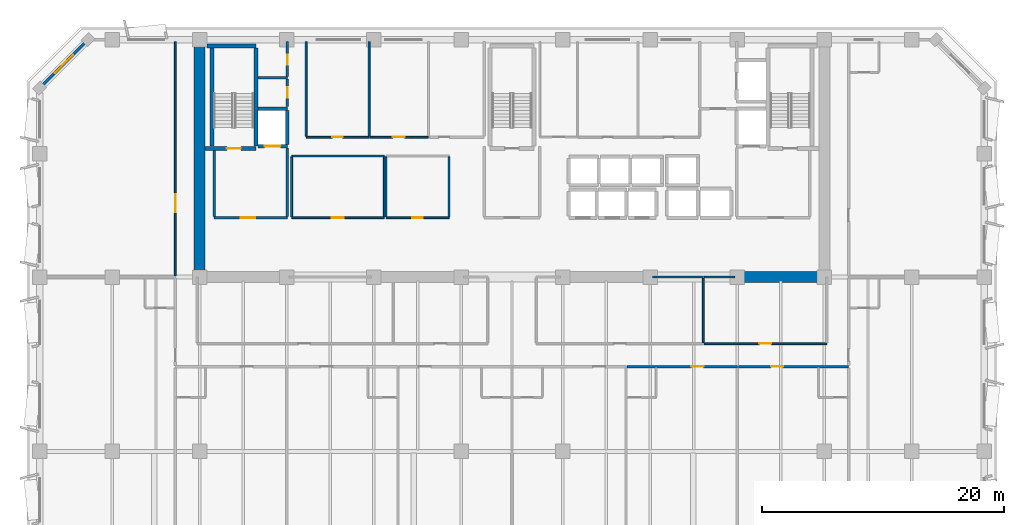
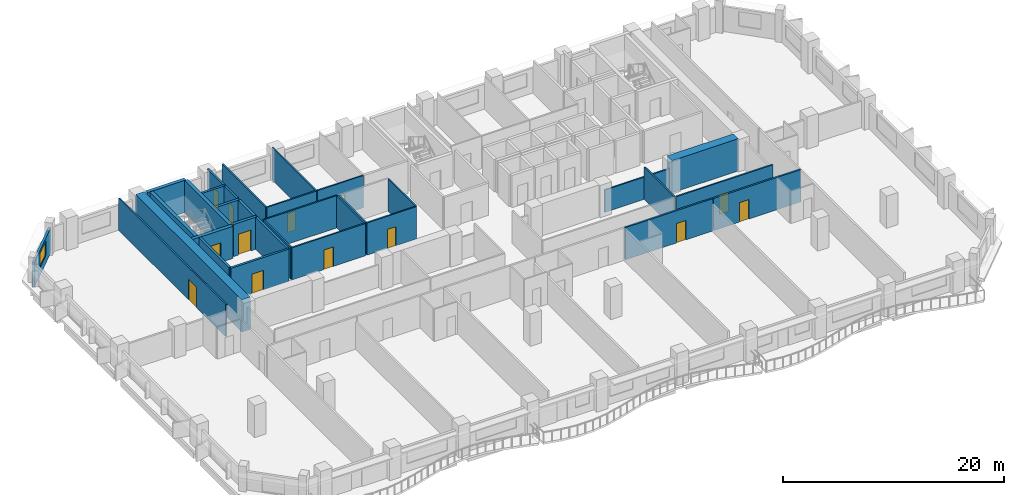
# One storey, part 6 of 14: 34 walls, 13 doors, 1 window, 14 openings.
"""IFC4 building model written with IfcOpenShell, lengths in metres."""

from ifc_helpers import new_model, si_unit, direction, frame, frame_2d, origin, place, context, subcontext, project, spatial, rectangle, extrude, material, layer, layer_set, type_object, element, fill, save


model = new_model("IFC4")

# Units and contexts
model_context = context("Model", 3, precision=1e-05, world=origin(), true_north=direction((0.0, 1.0)))
body_context = subcontext(model_context, "Body", "Model", "MODEL_VIEW")
ifc_project = project(units=[si_unit("LENGTHUNIT", "METRE"), si_unit("AREAUNIT", "SQUARE_METRE"), si_unit("VOLUMEUNIT", "CUBIC_METRE"), si_unit("PLANEANGLEUNIT", "RADIAN"), si_unit("MASSUNIT", "GRAM", prefix="KILO")], contexts=[model_context])

# Site, building, storey
site_placement = place(None, origin())
site = spatial("IfcSite", under=ifc_project, at=site_placement, CompositionType="ELEMENT")
building_placement = place(site_placement, origin())
building = spatial("IfcBuilding", under=site, at=building_placement, Name="Kaelvorn Grand Hotel", CompositionType="ELEMENT")
storey_placement = place(building_placement, frame((0.0, 0.0, 193.949951171875)))
storey = spatial("IfcBuildingStorey", under=building, at=storey_placement, Name="L47", CompositionType="ELEMENT", Elevation=193.949951171875)

# Walls
ifc_material_1 = material(Name="Concrete C60/75", Category="concrete")
ifc_layer_1 = layer(ifc_material_1, 0.89990234375)
ifc_layer_set_1 = layer_set([ifc_layer_1], Name="Concrete C60/75")
wall_type_1 = type_object("IfcWallType", Name="WL-CORE-900-C60", PredefinedType="SHEAR", material=ifc_layer_set_1)
wall_1_placement = place(storey_placement, frame((16.199951171875, 29.39990234375, 0.0), z_axis=(0.0, 0.0, 1.0), x_axis=(0.0, 1.0, 0.0)))
element("IfcWall", 1, at=wall_1_placement, inside=storey, type_object=wall_type_1, Name="L47 Rear-Core West Shear Wall", PredefinedType="SHEAR", context=body_context, shape_type="SweptSolid", body=[
    extrude(rectangle(XDim=19.2001953125, YDim=0.89990234375, at=frame_2d((9.60009765625, 0.0))), origin(), (0.0, 0.0, 1.0), 3.56005859375),
])
wall_2_placement = place(storey_placement, frame((60.39990234375, 29.39990234375, 0.0), z_axis=(0.0, 0.0, 1.0), x_axis=(1.0, 0.0, 0.0)))
element("IfcWall", 2, at=wall_2_placement, inside=storey, type_object=wall_type_1, Name="L47 Rear-Core Coupled Shear Pier S4", PredefinedType="SHEAR", context=body_context, shape_type="SweptSolid", body=[
    extrude(rectangle(XDim=6.945068359375, YDim=0.89990234375, at=frame_2d((3.47265625, 0.0))), origin(), (0.0, 0.0, 1.0), 3.56005859375),
])

# Wall, opening, window
ifc_material_2 = material(Name="Concrete C40/50", Category="concrete")
ifc_layer_2 = layer(ifc_material_2, 0.239990234375)
ifc_layer_set_2 = layer_set([ifc_layer_2], Name="Concrete C40/50")
wall_type_2 = type_object("IfcWallType", Name="WL-EXT-240-C40", PredefinedType="SOLIDWALL", material=ifc_layer_set_2)
wall_3_placement = place(storey_placement, frame((7.0, 49.0, 0.0), z_axis=(0.0, 0.0, 1.0), x_axis=(-0.707106781187, -0.707106781187, 0.0)))
wall_3 = element("IfcWall", 3, at=wall_3_placement, inside=storey, type_object=wall_type_2, Name="L47 Exterior Architectural Concrete Wall 06", PredefinedType="SOLIDWALL", context=body_context, shape_type="SweptSolid", body=[
    extrude(rectangle(XDim=5.65673828125, YDim=0.239990234375, at=frame_2d((2.828369140625, 0.0))), origin(), (0.0, 0.0, 1.0), 2.760009765625),
])
opening_1_placement = place(wall_3_placement, frame((1.7783203125, 0.0, 0.85009765625)))
opening_1 = element("IfcOpeningElement", 4, at=opening_1_placement, cuts=wall_3, Name="Opening W7", PredefinedType="OPENING", context=body_context, shape_type="SweptSolid", body=[
    extrude(rectangle(XDim=2.10009765625, YDim=1.60009765625, at=frame_2d((1.050048828125, 0.800048828125))), frame((0.0, 0.1298828125, 0.0), z_axis=(0.0, -1.0, 0.0), x_axis=(1.0, 0.0, 0.0)), (0.0, 0.0, 1.0), 0.260009765625),
])
ifc_material_3 = material(Name="Laminated Low-E Glass", Category="glass")
window_type = type_object("IfcWindowType", Name="WIN-CHM-2100x1600", PartitioningType="SINGLE_PANEL", PredefinedType="WINDOW", material=ifc_material_3)
window_placement = place(opening_1_placement, origin())
window = element("IfcWindow", 5, at=window_placement, inside=storey, type_object=window_type, Name="L47 Chamfered 45-Degree Corner Window NW", OverallHeight=1.60009765625, OverallWidth=2.10009765625, PartitioningType="SINGLE_PANEL", PredefinedType="WINDOW", context=body_context, shape_type="SweptSolid", body=[
    extrude(rectangle(XDim=2.10009765625, YDim=1.60009765625, at=frame_2d((1.050048828125, 0.800048828125))), frame((0.0, 0.030029296875, 0.0), z_axis=(0.0, -1.0, 0.0), x_axis=(1.0, 0.0, 0.0)), (0.0, 0.0, 1.0), 0.06005859375),
])
fill(opening_1, window)

# Wall, opening, door
ifc_material_4 = material(Name="Acoustic Gypsum & Stud Partition")
ifc_layer_3 = layer(ifc_material_4, 0.14990234375)
ifc_layer_set_3 = layer_set([ifc_layer_3], Name="Acoustic Gypsum & Stud Partition")
wall_type_3 = type_object("IfcWallType", Name="WL-PART-150-EI60", PredefinedType="PARTITIONING", material=ifc_layer_set_3)
wall_4_placement = place(storey_placement, frame((31.60009765625, 34.300048828125, 0.0), z_axis=(0.0, 0.0, 1.0), x_axis=(1.0, 0.0, 0.0)))
wall_4 = element("IfcWall", 6, at=wall_4_placement, inside=storey, type_object=wall_type_3, Name="L47 Core Telecoms & BMS Server Room S Partition", PredefinedType="PARTITIONING", context=body_context, shape_type="SweptSolid", body=[
    extrude(rectangle(XDim=5.199951171875, YDim=0.14990234375, at=frame_2d((2.60009765625, 0.0))), origin(), (0.0, 0.0, 1.0), 3.56005859375),
])
opening_2_placement = place(wall_4_placement, frame((2.175048828125, 0.0, 0.0)))
opening_2 = element("IfcOpeningElement", 7, at=opening_2_placement, cuts=wall_4, Name="Opening DI7", PredefinedType="OPENING", context=body_context, shape_type="SweptSolid", body=[
    extrude(rectangle(XDim=0.85009765625, YDim=2.10009765625, at=frame_2d((0.425048828125, 1.050048828125))), frame((0.0, 0.0849609375, 0.0), z_axis=(0.0, -1.0, 0.0), x_axis=(1.0, 0.0, 0.0)), (0.0, 0.0, 1.0), 0.169921875),
])
ifc_material_5 = material(Name="Powder-Coated Steel Leaf", Category="steel")
door_type_1 = type_object("IfcDoorType", Name="DR-INT-RISER-850x2100", OperationType="NOTDEFINED", PredefinedType="DOOR", material=ifc_material_5)
door_1_placement = place(opening_2_placement, origin())
door_1 = element("IfcDoor", 8, at=door_1_placement, inside=storey, type_object=door_type_1, Name="L47 Core Telecoms & BMS Server Room Door", OperationType="SINGLE_SWING_RIGHT", OverallHeight=2.10009765625, OverallWidth=0.85009765625, PredefinedType="DOOR", context=body_context, shape_type="SweptSolid", body=[
    extrude(rectangle(XDim=0.85009765625, YDim=2.10009765625, at=frame_2d((0.425048828125, 1.050048828125))), frame((0.0, 0.02490234375, 0.0), z_axis=(0.0, -1.0, 0.0), x_axis=(1.0, 0.0, 0.0)), (0.0, 0.0, 1.0), 0.050048828125),
])
fill(opening_2, door_1)

# Walls
for number, where, z_axis, x_axis, name in (
    (9, (31.60009765625, 34.3798828125, 0.0), (0.0, 0.0, 1.0), (0.0, 1.0, 0.0), "L47 Core Telecoms & BMS Server Room W Partition"),
    (10, (36.800048828125, 34.3798828125, 0.0), (0.0, 0.0, 1.0), (0.0, 1.0, 0.0), "L47 Core Telecoms & BMS Server Room E Partition"),
):
    element("IfcWall", number, at=place(storey_placement, frame(where, z_axis=z_axis, x_axis=x_axis)), inside=storey, type_object=wall_type_3, Name=name, PredefinedType="PARTITIONING", context=body_context, shape_type="SweptSolid", body=[
        extrude(rectangle(XDim=4.940185546875, YDim=0.14990234375, at=frame_2d((2.47021484375, 0.0))), origin(), (0.0, 0.0, 1.0), 3.56005859375),
    ])

# Wall, opening, door
wall_5_placement = place(storey_placement, frame((23.800048828125, 34.300048828125, 0.0), z_axis=(0.0, 0.0, 1.0), x_axis=(1.0, 0.0, 0.0)))
wall_5 = element("IfcWall", 11, at=wall_5_placement, inside=storey, type_object=wall_type_3, Name="L47 Executive Club Sitting Lounge S Partition", PredefinedType="PARTITIONING", context=body_context, shape_type="SweptSolid", body=[
    extrude(rectangle(XDim=7.64990234375, YDim=0.14990234375, at=frame_2d((3.824951171875, 0.0))), origin(), (0.0, 0.0, 1.0), 3.56005859375),
])
opening_3_placement = place(wall_5_placement, frame((3.300048828125, 0.0, 0.0)))
opening_3 = element("IfcOpeningElement", 12, at=opening_3_placement, cuts=wall_5, Name="Opening DI3", PredefinedType="OPENING", context=body_context, shape_type="SweptSolid", body=[
    extrude(rectangle(XDim=1.0, YDim=2.14990234375, at=frame_2d((0.5, 1.074951171875))), frame((0.0, 0.0849609375, 0.0), z_axis=(0.0, -1.0, 0.0), x_axis=(1.0, 0.0, 0.0)), (0.0, 0.0, 1.0), 0.169921875),
])
ifc_material_6 = material(Name="Timber Veneer Fire Leaf", Category="wood")
door_type_2 = type_object("IfcDoorType", Name="DR-INT-GUEST-1000x2150", OperationType="NOTDEFINED", PredefinedType="DOOR", material=ifc_material_6)
door_2_placement = place(opening_3_placement, origin())
door_2 = element("IfcDoor", 13, at=door_2_placement, inside=storey, type_object=door_type_2, Name="L47 Executive Club Sitting Lounge Door", OperationType="SINGLE_SWING_LEFT", OverallHeight=2.14990234375, OverallWidth=1.0, PredefinedType="DOOR", context=body_context, shape_type="SweptSolid", body=[
    extrude(rectangle(XDim=1.0, YDim=2.14990234375, at=frame_2d((0.5, 1.074951171875))), frame((0.0, 0.02490234375, 0.0), z_axis=(0.0, -1.0, 0.0), x_axis=(1.0, 0.0, 0.0)), (0.0, 0.0, 1.0), 0.050048828125),
])
fill(opening_3, door_2)

# Walls
wall_6_placement = place(storey_placement, frame((23.800048828125, 39.39990234375, 0.0), z_axis=(0.0, 0.0, 1.0), x_axis=(1.0, 0.0, 0.0)))
element("IfcWall", 14, at=wall_6_placement, inside=storey, type_object=wall_type_3, Name="L47 Executive Club Sitting Lounge N Partition", PredefinedType="PARTITIONING", context=body_context, shape_type="SweptSolid", body=[
    extrude(rectangle(XDim=7.64990234375, YDim=0.14990234375, at=frame_2d((3.824951171875, 0.0))), origin(), (0.0, 0.0, 1.0), 3.56005859375),
])
for number, where, z_axis, x_axis, name in (
    (15, (23.800048828125, 34.3798828125, 0.0), (0.0, 0.0, 1.0), (0.0, 1.0, 0.0), "L47 Executive Club Sitting Lounge W Partition"),
    (16, (31.449951171875, 34.3798828125, 0.0), (0.0, 0.0, 1.0), (0.0, 1.0, 0.0), "L47 Executive Club Sitting Lounge E Partition"),
):
    element("IfcWall", number, at=place(storey_placement, frame(where, z_axis=z_axis, x_axis=x_axis)), inside=storey, type_object=wall_type_3, Name=name, PredefinedType="PARTITIONING", context=body_context, shape_type="SweptSolid", body=[
        extrude(rectangle(XDim=4.940185546875, YDim=0.14990234375, at=frame_2d((2.47021484375, 0.0))), origin(), (0.0, 0.0, 1.0), 3.56005859375),
    ])

# Wall, opening, door
wall_7_placement = place(storey_placement, frame((25.0, 40.949951171875, 0.0), z_axis=(0.0, 0.0, 1.0), x_axis=(1.0, 0.0, 0.0)))
wall_7 = element("IfcWall", 17, at=wall_7_placement, inside=storey, type_object=wall_type_3, Name="L47 Housekeeping & Linen Room S Partition", PredefinedType="PARTITIONING", context=body_context, shape_type="SweptSolid", body=[
    extrude(rectangle(XDim=5.199951171875, YDim=0.14990234375, at=frame_2d((2.60009765625, 0.0))), origin(), (0.0, 0.0, 1.0), 3.56005859375),
])
opening_4_placement = place(wall_7_placement, frame((2.175048828125, 0.0, 0.0)))
opening_4 = element("IfcOpeningElement", 18, at=opening_4_placement, cuts=wall_7, Name="Opening DI7", PredefinedType="OPENING", context=body_context, shape_type="SweptSolid", body=[
    extrude(rectangle(XDim=0.85009765625, YDim=2.10009765625, at=frame_2d((0.425048828125, 1.050048828125))), frame((0.0, 0.0849609375, 0.0), z_axis=(0.0, -1.0, 0.0), x_axis=(1.0, 0.0, 0.0)), (0.0, 0.0, 1.0), 0.169921875),
])
door_3_placement = place(opening_4_placement, origin())
door_3 = element("IfcDoor", 19, at=door_3_placement, inside=storey, type_object=door_type_1, Name="L47 Housekeeping & Linen Room Door", OperationType="SINGLE_SWING_RIGHT", OverallHeight=2.10009765625, OverallWidth=0.85009765625, PredefinedType="DOOR", context=body_context, shape_type="SweptSolid", body=[
    extrude(rectangle(XDim=0.85009765625, YDim=2.10009765625, at=frame_2d((0.425048828125, 1.050048828125))), frame((0.0, 0.02490234375, 0.0), z_axis=(0.0, -1.0, 0.0), x_axis=(1.0, 0.0, 0.0)), (0.0, 0.0, 1.0), 0.050048828125),
])
fill(opening_4, door_3)

# Walls
for number, where, z_axis, x_axis, name in (
    (20, (25.0, 41.030029296875, 0.0), (0.0, 0.0, 1.0), (0.0, 1.0, 0.0), "L47 Housekeeping & Linen Room W Partition"),
    (21, (30.199951171875, 41.030029296875, 0.0), (0.0, 0.0, 1.0), (0.0, 1.0, 0.0), "L47 Housekeeping & Linen Room E Partition"),
):
    element("IfcWall", number, at=place(storey_placement, frame(where, z_axis=z_axis, x_axis=x_axis)), inside=storey, type_object=wall_type_3, Name=name, PredefinedType="PARTITIONING", context=body_context, shape_type="SweptSolid", body=[
        extrude(rectangle(XDim=7.820068359375, YDim=0.14990234375, at=frame_2d((3.91015625, 0.0))), origin(), (0.0, 0.0, 1.0), 3.56005859375),
    ])

# Wall, opening, door
wall_8_placement = place(storey_placement, frame((30.280029296875, 40.949951171875, 0.0), z_axis=(0.0, 0.0, 1.0), x_axis=(1.0, 0.0, 0.0)))
wall_8 = element("IfcWall", 22, at=wall_8_placement, inside=storey, type_object=wall_type_3, Name="L47 Room Service Servery Pantry S Partition", PredefinedType="PARTITIONING", context=body_context, shape_type="SweptSolid", body=[
    extrude(rectangle(XDim=4.820068359375, YDim=0.14990234375, at=frame_2d((2.41015625, 0.0))), origin(), (0.0, 0.0, 1.0), 3.56005859375),
])
opening_5_placement = place(wall_8_placement, frame((1.8701171875, 0.0, 0.0)))
opening_5 = element("IfcOpeningElement", 23, at=opening_5_placement, cuts=wall_8, Name="Opening DI3", PredefinedType="OPENING", context=body_context, shape_type="SweptSolid", body=[
    extrude(rectangle(XDim=1.0, YDim=2.14990234375, at=frame_2d((0.5, 1.074951171875))), frame((0.0, 0.0849609375, 0.0), z_axis=(0.0, -1.0, 0.0), x_axis=(1.0, 0.0, 0.0)), (0.0, 0.0, 1.0), 0.169921875),
])
door_4_placement = place(opening_5_placement, origin())
door_4 = element("IfcDoor", 24, at=door_4_placement, inside=storey, type_object=door_type_2, Name="L47 Room Service Servery Pantry Door", OperationType="SINGLE_SWING_LEFT", OverallHeight=2.14990234375, OverallWidth=1.0, PredefinedType="DOOR", context=body_context, shape_type="SweptSolid", body=[
    extrude(rectangle(XDim=1.0, YDim=2.14990234375, at=frame_2d((0.5, 1.074951171875))), frame((0.0, 0.02490234375, 0.0), z_axis=(0.0, -1.0, 0.0), x_axis=(1.0, 0.0, 0.0)), (0.0, 0.0, 1.0), 0.050048828125),
])
fill(opening_5, door_4)

# Walls
wall_9_placement = place(storey_placement, frame((53.610107421875, 29.39990234375, 0.0), z_axis=(0.0, 0.0, 1.0), x_axis=(1.0, 0.0, 0.0)))
element("IfcWall", 25, at=wall_9_placement, inside=storey, type_object=wall_type_3, Name="L47 Family Sitting Room N Partition (2)", PredefinedType="PARTITIONING", context=body_context, shape_type="SweptSolid", body=[
    extrude(rectangle(XDim=4.18994140625, YDim=0.14990234375, at=frame_2d((2.094970703125, 0.0))), origin(), (0.0, 0.0, 1.0), 2.4599609375),
])
wall_10_placement = place(storey_placement, frame((57.800048828125, 23.97998046875, 0.0), z_axis=(0.0, 0.0, 1.0), x_axis=(0.0, 1.0, 0.0)))
element("IfcWall", 26, at=wall_10_placement, inside=storey, type_object=wall_type_3, Name="L47 Family Sitting Room E Partition", PredefinedType="PARTITIONING", context=body_context, shape_type="SweptSolid", body=[
    extrude(rectangle(XDim=5.340087890625, YDim=0.14990234375, at=frame_2d((2.669921875, 0.0))), origin(), (0.0, 0.0, 1.0), 3.56005859375),
])

# Wall, opening, door
wall_11_placement = place(storey_placement, frame((57.8798828125, 23.89990234375, 0.0), z_axis=(0.0, 0.0, 1.0), x_axis=(1.0, 0.0, 0.0)))
wall_11 = element("IfcWall", 27, at=wall_11_placement, inside=storey, type_object=wall_type_3, Name="L47 VIP Dining Restaurant S Partition", PredefinedType="PARTITIONING", context=body_context, shape_type="SweptSolid", body=[
    extrude(rectangle(XDim=10.1201171875, YDim=0.14990234375, at=frame_2d((5.06005859375, 0.0))), origin(), (0.0, 0.0, 1.0), 3.56005859375),
])
opening_6_placement = place(wall_11_placement, frame((4.52001953125, 0.0, 0.0)))
opening_6 = element("IfcOpeningElement", 28, at=opening_6_placement, cuts=wall_11, Name="Opening DI3", PredefinedType="OPENING", context=body_context, shape_type="SweptSolid", body=[
    extrude(rectangle(XDim=1.0, YDim=2.14990234375, at=frame_2d((0.5, 1.074951171875))), frame((0.0, 0.0849609375, 0.0), z_axis=(0.0, -1.0, 0.0), x_axis=(1.0, 0.0, 0.0)), (0.0, 0.0, 1.0), 0.169921875),
])
door_5_placement = place(opening_6_placement, origin())
door_5 = element("IfcDoor", 29, at=door_5_placement, inside=storey, type_object=door_type_2, Name="L47 VIP Dining Restaurant Door", OperationType="SINGLE_SWING_LEFT", OverallHeight=2.14990234375, OverallWidth=1.0, PredefinedType="DOOR", context=body_context, shape_type="SweptSolid", body=[
    extrude(rectangle(XDim=1.0, YDim=2.14990234375, at=frame_2d((0.5, 1.074951171875))), frame((0.0, 0.02490234375, 0.0), z_axis=(0.0, -1.0, 0.0), x_axis=(1.0, 0.0, 0.0)), (0.0, 0.0, 1.0), 0.050048828125),
])
fill(opening_6, door_5)

# Wall
wall_12_placement = place(storey_placement, frame((57.8798828125, 29.39990234375, 0.0), z_axis=(0.0, 0.0, 1.0), x_axis=(1.0, 0.0, 0.0)))
element("IfcWall", 30, at=wall_12_placement, inside=storey, type_object=wall_type_3, Name="L47 VIP Dining Restaurant N Partition", PredefinedType="PARTITIONING", context=body_context, shape_type="SweptSolid", body=[
    extrude(rectangle(XDim=2.510009765625, YDim=0.14990234375, at=frame_2d((1.2548828125, 0.0))), origin(), (0.0, 0.0, 1.0), 2.4599609375),
])

# Wall, opening, door
wall_13_placement = place(storey_placement, frame((14.199951171875, 29.4951171875, 0.0), z_axis=(0.0, 0.0, 1.0), x_axis=(0.0, 1.0, 0.0)))
wall_13 = element("IfcWall", 31, at=wall_13_placement, inside=storey, type_object=wall_type_3, Name="L47 North-West Family Sitting Room E Partition", PredefinedType="PARTITIONING", context=body_context, shape_type="SweptSolid", body=[
    extrude(rectangle(XDim=19.35498046875, YDim=0.14990234375, at=frame_2d((9.677490234375, 0.0))), origin(), (0.0, 0.0, 1.0), 3.56005859375),
])
opening_7_placement = place(wall_13_placement, frame((5.2548828125, 0.0, 0.0)))
opening_7 = element("IfcOpeningElement", 32, at=opening_7_placement, cuts=wall_13, Name="Opening DI5", PredefinedType="OPENING", context=body_context, shape_type="SweptSolid", body=[
    extrude(rectangle(XDim=1.5, YDim=2.25, at=frame_2d((0.75, 1.125))), frame((0.0, 0.0849609375, 0.0), z_axis=(0.0, -1.0, 0.0), x_axis=(1.0, 0.0, 0.0)), (0.0, 0.0, 1.0), 0.169921875),
])
door_type_3 = type_object("IfcDoorType", Name="DR-INT-SALON-1500x2250", OperationType="DOUBLE_DOOR_SINGLE_SWING", PredefinedType="DOOR", material=ifc_material_6)
door_6_placement = place(opening_7_placement, origin())
door_6 = element("IfcDoor", 33, at=door_6_placement, inside=storey, type_object=door_type_3, Name="L47 North-West Family Sitting Room Door", OperationType="DOUBLE_DOOR_SINGLE_SWING", OverallHeight=2.25, OverallWidth=1.5, PredefinedType="DOOR", context=body_context, shape_type="SweptSolid", body=[
    extrude(rectangle(XDim=1.5, YDim=2.25, at=frame_2d((0.75, 1.125))), frame((0.0, 0.02490234375, 0.0), z_axis=(0.0, -1.0, 0.0), x_axis=(1.0, 0.0, 0.0)), (0.0, 0.0, 1.0), 0.050048828125),
])
fill(opening_7, door_6)

ifc_layer_4 = layer(ifc_material_4, 0.179931640625)
ifc_layer_set_4 = layer_set([ifc_layer_4], Name="Acoustic Gypsum & Stud Partition")
wall_type_4 = type_object("IfcWallType", Name="WL-PART-180-EI60", PredefinedType="PARTITIONING", material=ifc_layer_set_4)
wall_14_placement = place(storey_placement, frame((51.504150390625, 22.0, 0.0), z_axis=(0.0, 0.0, 1.0), x_axis=(1.0, 0.0, 0.0)))
wall_14 = element("IfcWall", 34, at=wall_14_placement, inside=storey, type_object=wall_type_4, Name="L47 Mid-Rise Signature Suite L47-05 N Partition", PredefinedType="PARTITIONING", context=body_context, shape_type="SweptSolid", body=[
    extrude(rectangle(XDim=9.100341796875, YDim=0.179931640625, at=frame_2d((4.55029296875, 0.0))), origin(), (0.0, 0.0, 1.0), 3.56005859375),
])
opening_8_placement = place(wall_14_placement, frame((5.310302734375, 0.0, 0.0)))
opening_8 = element("IfcOpeningElement", 35, at=opening_8_placement, cuts=wall_14, Name="Opening DI3", PredefinedType="OPENING", context=body_context, shape_type="SweptSolid", body=[
    extrude(rectangle(XDim=1.0, YDim=2.14990234375, at=frame_2d((0.5, 1.074951171875))), frame((0.0, 0.10009765625, 0.0), z_axis=(0.0, -1.0, 0.0), x_axis=(1.0, 0.0, 0.0)), (0.0, 0.0, 1.0), 0.199951171875),
])
door_7_placement = place(opening_8_placement, origin())
door_7 = element("IfcDoor", 36, at=door_7_placement, inside=storey, type_object=door_type_2, Name="L47 Mid-Rise Signature Suite L47-05 Door", OperationType="SINGLE_SWING_RIGHT", OverallHeight=2.14990234375, OverallWidth=1.0, PredefinedType="DOOR", context=body_context, shape_type="SweptSolid", body=[
    extrude(rectangle(XDim=1.0, YDim=2.14990234375, at=frame_2d((0.5, 1.074951171875))), frame((0.0, 0.02490234375, 0.0), z_axis=(0.0, -1.0, 0.0), x_axis=(1.0, 0.0, 0.0)), (0.0, 0.0, 1.0), 0.050048828125),
])
fill(opening_8, door_7)

wall_15_placement = place(storey_placement, frame((60.69970703125, 22.0, 0.0), z_axis=(0.0, 0.0, 1.0), x_axis=(1.0, 0.0, 0.0)))
wall_15 = element("IfcWall", 37, at=wall_15_placement, inside=storey, type_object=wall_type_4, Name="L47 Mid-Rise Signature Suite L47-06 N Partition", PredefinedType="PARTITIONING", context=body_context, shape_type="SweptSolid", body=[
    extrude(rectangle(XDim=9.100341796875, YDim=0.179931640625, at=frame_2d((4.55029296875, 0.0))), origin(), (0.0, 0.0, 1.0), 3.56005859375),
])
opening_9_placement = place(wall_15_placement, frame((2.6904296875, 0.0, 0.0)))
opening_9 = element("IfcOpeningElement", 38, at=opening_9_placement, cuts=wall_15, Name="Opening DI3", PredefinedType="OPENING", context=body_context, shape_type="SweptSolid", body=[
    extrude(rectangle(XDim=1.0, YDim=2.14990234375, at=frame_2d((0.5, 1.074951171875))), frame((0.0, 0.10009765625, 0.0), z_axis=(0.0, -1.0, 0.0), x_axis=(1.0, 0.0, 0.0)), (0.0, 0.0, 1.0), 0.199951171875),
])
door_8_placement = place(opening_9_placement, origin())
door_8 = element("IfcDoor", 39, at=door_8_placement, inside=storey, type_object=door_type_2, Name="L47 Mid-Rise Signature Suite L47-06 Door", OperationType="SINGLE_SWING_RIGHT", OverallHeight=2.14990234375, OverallWidth=1.0, PredefinedType="DOOR", context=body_context, shape_type="SweptSolid", body=[
    extrude(rectangle(XDim=1.0, YDim=2.14990234375, at=frame_2d((0.5, 1.074951171875))), frame((0.0, 0.02490234375, 0.0), z_axis=(0.0, -1.0, 0.0), x_axis=(1.0, 0.0, 0.0)), (0.0, 0.0, 1.0), 0.050048828125),
])
fill(opening_9, door_8)

ifc_layer_5 = layer(ifc_material_2, 0.219970703125)
ifc_layer_set_5 = layer_set([ifc_layer_5], Name="Concrete C40/50")
wall_type_5 = type_object("IfcWallType", Name="WL-PART-220-EI120", PredefinedType="PARTITIONING", material=ifc_layer_set_5)
wall_16_placement = place(storey_placement, frame((17.39990234375, 34.300048828125, 0.0), z_axis=(0.0, 0.0, 1.0), x_axis=(1.0, 0.0, 0.0)))
wall_16 = element("IfcWall", 40, at=wall_16_placement, inside=storey, type_object=wall_type_5, Name="L47 Firefighting Lift Lobby 1 S Partition", PredefinedType="PARTITIONING", context=body_context, shape_type="SweptSolid", body=[
    extrude(rectangle(XDim=6.050048828125, YDim=0.219970703125, at=frame_2d((3.02490234375, 0.0))), origin(), (0.0, 0.0, 1.0), 3.56005859375),
])
opening_10_placement = place(wall_16_placement, frame((2.199951171875, 0.0, 0.0)))
opening_10 = element("IfcOpeningElement", 41, at=opening_10_placement, cuts=wall_16, Name="Opening DI2", PredefinedType="OPENING", context=body_context, shape_type="SweptSolid", body=[
    extrude(rectangle(XDim=1.199951171875, YDim=2.14990234375, at=frame_2d((0.60009765625, 1.074951171875))), frame((0.0, 0.1201171875, 0.0), z_axis=(0.0, -1.0, 0.0), x_axis=(1.0, 0.0, 0.0)), (0.0, 0.0, 1.0), 0.239990234375),
])
door_type_4 = type_object("IfcDoorType", Name="DR-INT-FFLOB-1200x2150", OperationType="NOTDEFINED", PredefinedType="DOOR", material=ifc_material_6)
door_9_placement = place(opening_10_placement, origin())
door_9 = element("IfcDoor", 42, at=door_9_placement, inside=storey, type_object=door_type_4, Name="L47 Firefighting Lift Lobby 1 Door", OperationType="SINGLE_SWING_RIGHT", OverallHeight=2.14990234375, OverallWidth=1.199951171875, PredefinedType="DOOR", context=body_context, shape_type="SweptSolid", body=[
    extrude(rectangle(XDim=1.199951171875, YDim=2.14990234375, at=frame_2d((0.60009765625, 1.074951171875))), frame((0.0, 0.02490234375, 0.0), z_axis=(0.0, -1.0, 0.0), x_axis=(1.0, 0.0, 0.0)), (0.0, 0.0, 1.0), 0.050048828125),
])
fill(opening_10, door_9)

# Walls
wall_17_placement = place(storey_placement, frame((17.39990234375, 34.4150390625, 0.0), z_axis=(0.0, 0.0, 1.0), x_axis=(0.0, 1.0, 0.0)))
element("IfcWall", 43, at=wall_17_placement, inside=storey, type_object=wall_type_5, Name="L47 Firefighting Lift Lobby 1 W Partition", PredefinedType="PARTITIONING", context=body_context, shape_type="SweptSolid", body=[
    extrude(rectangle(XDim=5.429931640625, YDim=0.219970703125, at=frame_2d((2.71484375, 0.0))), origin(), (0.0, 0.0, 1.0), 3.56005859375),
])
wall_18_placement = place(storey_placement, frame((23.449951171875, 34.4150390625, 0.0), z_axis=(0.0, 0.0, 1.0), x_axis=(0.0, 1.0, 0.0)))
element("IfcWall", 44, at=wall_18_placement, inside=storey, type_object=wall_type_5, Name="L47 Firefighting Lift Lobby 1 E Partition", PredefinedType="PARTITIONING", context=body_context, shape_type="SweptSolid", body=[
    extrude(rectangle(XDim=5.639892578125, YDim=0.219970703125, at=frame_2d((2.81982421875, 0.0))), origin(), (0.0, 0.0, 1.0), 3.56005859375),
])
wall_19_placement = place(storey_placement, frame((21.034912109375, 45.85009765625, 0.0), z_axis=(0.0, 0.0, 1.0), x_axis=(1.0, 0.0, 0.0)))
element("IfcWall", 45, at=wall_19_placement, inside=storey, type_object=wall_type_5, Name="L47 Wet Fire & Plumbing Riser Shaft N Partition", PredefinedType="PARTITIONING", context=body_context, shape_type="SweptSolid", body=[
    extrude(rectangle(XDim=2.4150390625, YDim=0.219970703125, at=frame_2d((1.20751953125, 0.0))), origin(), (0.0, 0.0, 1.0), 3.56005859375),
])

# Wall, opening, door
wall_20_placement = place(storey_placement, frame((23.449951171875, 43.5, 0.0), z_axis=(0.0, 0.0, 1.0), x_axis=(0.0, 1.0, 0.0)))
wall_20 = element("IfcWall", 46, at=wall_20_placement, inside=storey, type_object=wall_type_5, Name="L47 Wet Fire & Plumbing Riser Shaft E Partition", PredefinedType="PARTITIONING", context=body_context, shape_type="SweptSolid", body=[
    extrude(rectangle(XDim=2.235107421875, YDim=0.219970703125, at=frame_2d((1.11767578125, 0.0))), origin(), (0.0, 0.0, 1.0), 3.56005859375),
])
opening_11_placement = place(wall_20_placement, frame((0.72509765625, 0.0, 0.0)))
opening_11 = element("IfcOpeningElement", 47, at=opening_11_placement, cuts=wall_20, Name="Opening DI7", PredefinedType="OPENING", context=body_context, shape_type="SweptSolid", body=[
    extrude(rectangle(XDim=0.85009765625, YDim=2.10009765625, at=frame_2d((0.425048828125, 1.050048828125))), frame((0.0, 0.1201171875, 0.0), z_axis=(0.0, -1.0, 0.0), x_axis=(1.0, 0.0, 0.0)), (0.0, 0.0, 1.0), 0.239990234375),
])
door_10_placement = place(opening_11_placement, origin())
door_10 = element("IfcDoor", 48, at=door_10_placement, inside=storey, type_object=door_type_1, Name="L47 Wet Fire & Plumbing Riser Shaft Door", OperationType="SINGLE_SWING_RIGHT", OverallHeight=2.10009765625, OverallWidth=0.85009765625, PredefinedType="DOOR", context=body_context, shape_type="SweptSolid", body=[
    extrude(rectangle(XDim=0.85009765625, YDim=2.10009765625, at=frame_2d((0.425048828125, 1.050048828125))), frame((0.0, 0.02490234375, 0.0), z_axis=(0.0, -1.0, 0.0), x_axis=(1.0, 0.0, 0.0)), (0.0, 0.0, 1.0), 0.050048828125),
])
fill(opening_11, door_10)

wall_21_placement = place(storey_placement, frame((23.449951171875, 45.965087890625, 0.0), z_axis=(0.0, 0.0, 1.0), x_axis=(0.0, 1.0, 0.0)))
wall_21 = element("IfcWall", 49, at=wall_21_placement, inside=storey, type_object=wall_type_5, Name="L47 HV Electrical & Smoke Riser E Partition", PredefinedType="PARTITIONING", context=body_context, shape_type="SweptSolid", body=[
    extrude(rectangle(XDim=2.885009765625, YDim=0.219970703125, at=frame_2d((1.4423828125, 0.0))), origin(), (0.0, 0.0, 1.0), 3.56005859375),
])
opening_12_placement = place(wall_21_placement, frame((0.9599609375, 0.0, 0.0)))
opening_12 = element("IfcOpeningElement", 50, at=opening_12_placement, cuts=wall_21, Name="Opening DI7", PredefinedType="OPENING", context=body_context, shape_type="SweptSolid", body=[
    extrude(rectangle(XDim=0.85009765625, YDim=2.10009765625, at=frame_2d((0.425048828125, 1.050048828125))), frame((0.0, 0.1201171875, 0.0), z_axis=(0.0, -1.0, 0.0), x_axis=(1.0, 0.0, 0.0)), (0.0, 0.0, 1.0), 0.239990234375),
])
door_11_placement = place(opening_12_placement, origin())
door_11 = element("IfcDoor", 51, at=door_11_placement, inside=storey, type_object=door_type_1, Name="L47 HV Electrical & Smoke Riser Door", OperationType="SINGLE_SWING_LEFT", OverallHeight=2.10009765625, OverallWidth=0.85009765625, PredefinedType="DOOR", context=body_context, shape_type="SweptSolid", body=[
    extrude(rectangle(XDim=0.85009765625, YDim=2.10009765625, at=frame_2d((0.425048828125, 1.050048828125))), frame((0.0, 0.02490234375, 0.0), z_axis=(0.0, -1.0, 0.0), x_axis=(1.0, 0.0, 0.0)), (0.0, 0.0, 1.0), 0.050048828125),
])
fill(opening_12, door_11)

ifc_material_7 = material(Name="Concrete C50/60", Category="concrete")
ifc_layer_6 = layer(ifc_material_7, 0.280029296875)
ifc_layer_set_6 = layer_set([ifc_layer_6], Name="Concrete C50/60")
wall_type_6 = type_object("IfcWallType", Name="WL-SHAFT-280-C50", PredefinedType="SHEAR", material=ifc_layer_set_6)
wall_22_placement = place(storey_placement, frame((21.034912109375, 40.199951171875, 0.0), z_axis=(0.0, 0.0, 1.0), x_axis=(1.0, 0.0, 0.0)))
wall_22 = element("IfcWall", 52, at=wall_22_placement, inside=storey, type_object=wall_type_6, Name="L47 Lift FFL1 Shaft South Wall", PredefinedType="SHEAR", context=body_context, shape_type="SweptSolid", body=[
    extrude(rectangle(XDim=2.4150390625, YDim=0.280029296875, at=frame_2d((1.20751953125, 0.0))), origin(), (0.0, 0.0, 1.0), 3.56005859375),
])
opening_13_placement = place(wall_22_placement, frame((0.5400390625, 0.0, 0.0)))
opening_13 = element("IfcOpeningElement", 53, at=opening_13_placement, cuts=wall_22, Name="Opening LD-FFL1", PredefinedType="OPENING", context=body_context, shape_type="SweptSolid", body=[
    extrude(rectangle(XDim=1.300048828125, YDim=2.300048828125, at=frame_2d((0.64990234375, 1.14990234375))), frame((0.0, 0.14990234375, 0.0), z_axis=(0.0, -1.0, 0.0), x_axis=(1.0, 0.0, 0.0)), (0.0, 0.0, 1.0), 0.300048828125),
])
ifc_material_8 = material(Name="Stainless Steel", Category="steel")
door_type_5 = type_object("IfcDoorType", Name="DR-LIFT-SERV-1300x2300", OperationType="DOUBLE_DOOR_SLIDING", PredefinedType="DOOR", material=ifc_material_8)
door_12_placement = place(opening_13_placement, origin())
door_12 = element("IfcDoor", 54, at=door_12_placement, inside=storey, type_object=door_type_5, Name="L47 Lift FFL1 Sliding Landing Door LD-FFL1", OperationType="DOUBLE_DOOR_SLIDING", OverallHeight=2.300048828125, OverallWidth=1.300048828125, PredefinedType="DOOR", context=body_context, shape_type="SweptSolid", body=[
    extrude(rectangle(XDim=1.300048828125, YDim=2.300048828125, at=frame_2d((0.64990234375, 1.14990234375))), frame((0.0, 0.02490234375, 0.0), z_axis=(0.0, -1.0, 0.0), x_axis=(1.0, 0.0, 0.0)), (0.0, 0.0, 1.0), 0.050048828125),
])
fill(opening_13, door_12)

# Walls
wall_23_placement = place(storey_placement, frame((21.034912109375, 43.300048828125, 0.0), z_axis=(0.0, 0.0, 1.0), x_axis=(1.0, 0.0, 0.0)))
element("IfcWall", 55, at=wall_23_placement, inside=storey, type_object=wall_type_6, Name="L47 Lift FFL1 Shaft North Wall", PredefinedType="SHEAR", context=body_context, shape_type="SweptSolid", body=[
    extrude(rectangle(XDim=2.4150390625, YDim=0.280029296875, at=frame_2d((1.20751953125, 0.0))), origin(), (0.0, 0.0, 1.0), 3.56005859375),
])
wall_24_placement = place(storey_placement, frame((23.449951171875, 40.344970703125, 0.0), z_axis=(0.0, 0.0, 1.0), x_axis=(0.0, 1.0, 0.0)))
element("IfcWall", 56, at=wall_24_placement, inside=storey, type_object=wall_type_6, Name="L47 Lift FFL1 Shaft East Wall", PredefinedType="SHEAR", context=body_context, shape_type="SweptSolid", body=[
    extrude(rectangle(XDim=2.81005859375, YDim=0.280029296875, at=frame_2d((1.405029296875, 0.0))), origin(), (0.0, 0.0, 1.0), 3.56005859375),
])

# Wall, opening, door
ifc_layer_7 = layer(ifc_material_1, 0.35009765625)
ifc_layer_set_7 = layer_set([ifc_layer_7], Name="Concrete C60/75")
wall_type_7 = type_object("IfcWallType", Name="WL-SHAFT-350-C60", PredefinedType="SHEAR", material=ifc_layer_set_7)
wall_25_placement = place(storey_placement, frame((16.655029296875, 40.02490234375, 0.0), z_axis=(0.0, 0.0, 1.0), x_axis=(1.0, 0.0, 0.0)))
wall_25 = element("IfcWall", 57, at=wall_25_placement, inside=storey, type_object=wall_type_7, Name="L47 ST1 Stair Shaft South Wall", PredefinedType="SHEAR", context=body_context, shape_type="SweptSolid", body=[
    extrude(rectangle(XDim=4.199951171875, YDim=0.35009765625, at=frame_2d((2.10009765625, 0.0))), origin(), (0.0, 0.0, 1.0), 3.56005859375),
])
opening_14_placement = place(wall_25_placement, frame((1.81005859375, 0.0, 0.0)))
opening_14 = element("IfcOpeningElement", 58, at=opening_14_placement, cuts=wall_25, Name="Opening DI1", PredefinedType="OPENING", context=body_context, shape_type="SweptSolid", body=[
    extrude(rectangle(XDim=1.14990234375, YDim=2.14990234375, at=frame_2d((0.574951171875, 1.074951171875))), frame((0.0, 0.18505859375, 0.0), z_axis=(0.0, -1.0, 0.0), x_axis=(1.0, 0.0, 0.0)), (0.0, 0.0, 1.0), 0.3701171875),
])
door_type_6 = type_object("IfcDoorType", Name="DR-INT-STAIR-1150x2150", OperationType="NOTDEFINED", PredefinedType="DOOR", material=ifc_material_6)
door_13_placement = place(opening_14_placement, origin())
door_13 = element("IfcDoor", 59, at=door_13_placement, inside=storey, type_object=door_type_6, Name="L47 ST1 Exit Stair Fire Door", OperationType="SINGLE_SWING_LEFT", OverallHeight=2.14990234375, OverallWidth=1.14990234375, PredefinedType="DOOR", context=body_context, shape_type="SweptSolid", body=[
    extrude(rectangle(XDim=1.14990234375, YDim=2.14990234375, at=frame_2d((0.574951171875, 1.074951171875))), frame((0.0, 0.02490234375, 0.0), z_axis=(0.0, -1.0, 0.0), x_axis=(1.0, 0.0, 0.0)), (0.0, 0.0, 1.0), 0.050048828125),
])
fill(opening_14, door_13)

# Walls
wall_26_placement = place(storey_placement, frame((16.804931640625, 48.47509765625, 0.0), z_axis=(0.0, 0.0, 1.0), x_axis=(1.0, 0.0, 0.0)))
element("IfcWall", 60, at=wall_26_placement, inside=storey, type_object=wall_type_7, Name="L47 ST1 Stair Shaft North Wall", PredefinedType="SHEAR", context=body_context, shape_type="SweptSolid", body=[
    extrude(rectangle(XDim=4.050048828125, YDim=0.35009765625, at=frame_2d((2.02490234375, 0.0))), origin(), (0.0, 0.0, 1.0), 3.56005859375),
])
for number, where, z_axis, x_axis, name in (
    (61, (17.22509765625, 40.205078125, 0.0), (0.0, 0.0, 1.0), (0.0, 1.0, 0.0), "L47 ST1 Stair Shaft West Wall"),
    (62, (20.85498046875, 40.205078125, 0.0), (0.0, 0.0, 1.0), (0.0, 1.0, 0.0), "L47 ST1 Stair Shaft East Wall"),
):
    element("IfcWall", number, at=place(storey_placement, frame(where, z_axis=z_axis, x_axis=x_axis)), inside=storey, type_object=wall_type_7, Name=name, PredefinedType="SHEAR", context=body_context, shape_type="SweptSolid", body=[
        extrude(rectangle(XDim=8.08984375, YDim=0.35009765625, at=frame_2d((4.044921875, 0.0))), origin(), (0.0, 0.0, 1.0), 3.56005859375),
    ])

save(model, "model.ifc")
